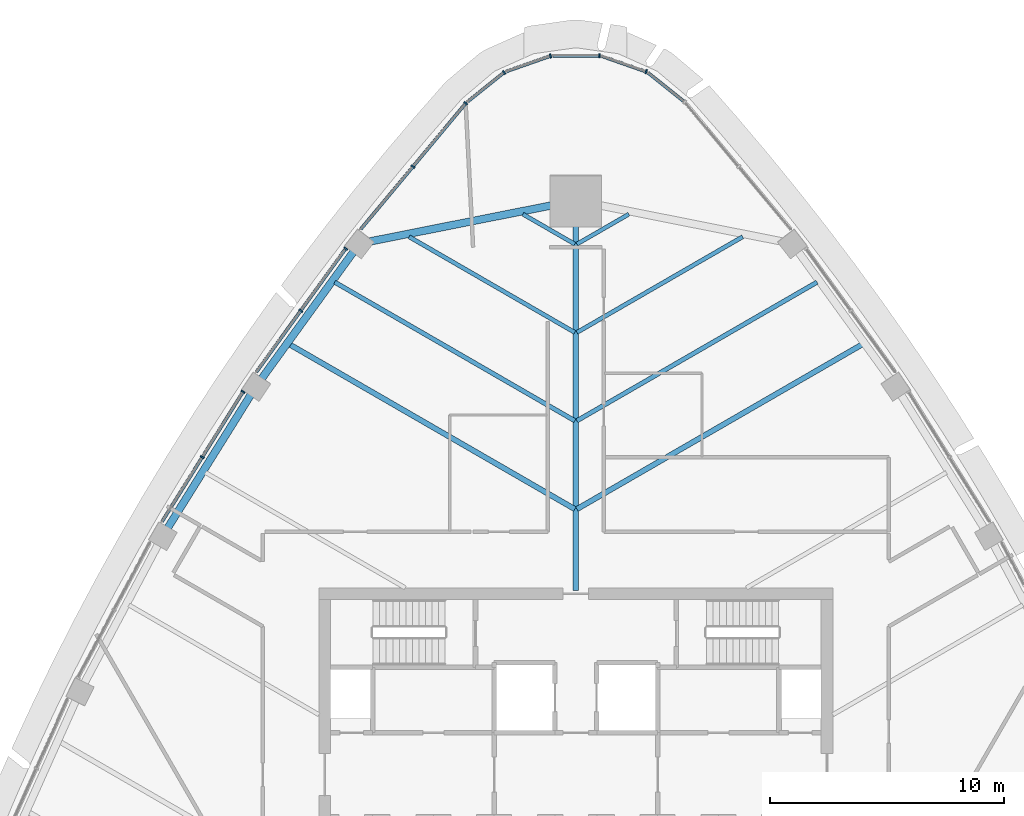
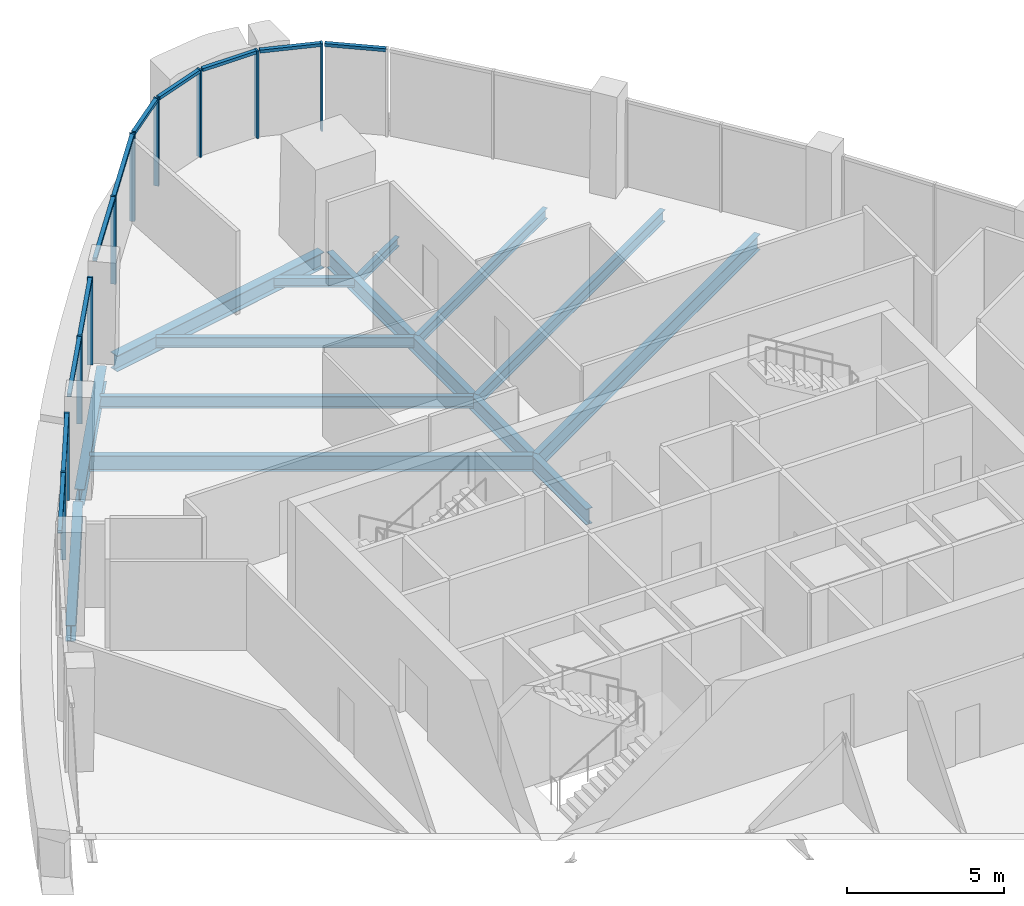
# One storey, part 5 of 15: 21 members, 12 beams, 8 elements without a shape of their own.
"""IFC4 building model written with IfcOpenShell, lengths in metres."""

from ifc_helpers import new_model, si_unit, direction, frame, origin, origin_2d, place, context, subcontext, project, spatial, rectangle, i_section, extrude, material, layer, layer_set, material_profile, profile_set, type_object, element, aggregate, save


model = new_model("IFC4")

# Units and contexts
model_context = context("Model", 3, precision=1e-05, world=origin(), true_north=direction((0.0, 1.0)))
body_context = subcontext(model_context, "Body", "Model", "MODEL_VIEW")
ifc_project = project(units=[si_unit("LENGTHUNIT", "METRE"), si_unit("AREAUNIT", "SQUARE_METRE"), si_unit("VOLUMEUNIT", "CUBIC_METRE"), si_unit("PLANEANGLEUNIT", "RADIAN"), si_unit("MASSUNIT", "GRAM", prefix="KILO")], contexts=[model_context])

# Site, building, storey
site_placement = place(None, origin())
site = spatial("IfcSite", under=ifc_project, at=site_placement, CompositionType="ELEMENT")
building_placement = place(site_placement, origin())
building = spatial("IfcBuilding", under=site, at=building_placement, Name="Sierra Prisma Convention Tower", CompositionType="ELEMENT")
storey_placement = place(building_placement, frame((0.0, 0.0, 267.0)))
storey = spatial("IfcBuildingStorey", under=building, at=storey_placement, Name="L60", CompositionType="ELEMENT", Elevation=267.0)

# Curtain wall, member
ifc_material_1 = material(Name="Aluminium and glass curtain wall", Category="aluminium")
ifc_layer = layer(ifc_material_1, 0.179931640625)
ifc_layer_set = layer_set([ifc_layer], Name="CW-1 Plain shaft curtain wall")
curtain_wall_type = type_object("IfcCurtainWallType", Name="CW-1 Plain shaft curtain wall", PredefinedType="NOTDEFINED", material=ifc_layer_set)
curtain_wall_1_placement = place(storey_placement, origin())
curtain_wall_1 = element("IfcCurtainWall", 1, at=curtain_wall_1_placement, inside=storey, type_object=curtain_wall_type, Name="CW-1 N2 L60", PredefinedType="NOTDEFINED")
ifc_material_2 = material(Name="Aluminium 6063-T6 bronze anodised", Category="aluminium")
ifc_material_profile_1 = material_profile(ifc_material_2, rectangle(XDim=0.179931640625, YDim=0.070068359375, at=origin_2d()), Name="ALU MULLION 70x180")
ifc_profile_set_1 = profile_set([ifc_material_profile_1], Name="Aluminium 6063-T6 bronze anodised")
member_type_1 = type_object("IfcMemberType", Name="CW mullion bronze", PredefinedType="MULLION", material=ifc_profile_set_1)
member_1_placement = place(storey_placement, frame((3.010986328125, 30.101806640625, 0.0), z_axis=(0.0, 0.0, 1.0), x_axis=(-0.330281576679, -0.943882450365, 0.0)))
member_1 = element("IfcMember", 2, at=member_1_placement, type_object=member_type_1, Name="CW-1 mullion N2.1", PredefinedType="MULLION", context=body_context, shape_type="SweptSolid", body=[
    extrude(rectangle(XDim=0.179931640625, YDim=0.070068359375, at=origin_2d()), origin(), (0.0, 0.0, 1.0), 3.39990234375),
])

curtain_wall_2_placement = place(storey_placement, origin())
curtain_wall_2 = element("IfcCurtainWall", 3, at=curtain_wall_2_placement, inside=storey, type_object=curtain_wall_type, Name="CW-1 N3 L60", PredefinedType="NOTDEFINED")
member_2_placement = place(storey_placement, frame((1.01904296875, 30.78662109375, 0.0), z_axis=(0.0, 0.0, 1.0), x_axis=(0.0, -1.0, 0.0)))
member_2 = element("IfcMember", 4, at=member_2_placement, type_object=member_type_1, Name="CW-1 mullion N3.1", PredefinedType="MULLION", context=body_context, shape_type="SweptSolid", body=[
    extrude(rectangle(XDim=0.179931640625, YDim=0.070068359375, at=origin_2d()), origin(), (0.0, 0.0, 1.0), 3.39990234375),
])

curtain_wall_3_placement = place(storey_placement, origin())
curtain_wall_3 = element("IfcCurtainWall", 5, at=curtain_wall_3_placement, inside=storey, type_object=curtain_wall_type, Name="CW-1 N4 L60", PredefinedType="NOTDEFINED")
member_3_placement = place(storey_placement, frame((-1.087158203125, 30.77490234375, 0.0), z_axis=(0.0, 0.0, 1.0), x_axis=(0.330281576679, -0.943882450365, 0.0)))
member_3 = element("IfcMember", 6, at=member_3_placement, type_object=member_type_1, Name="CW-1 mullion N4.1", PredefinedType="MULLION", context=body_context, shape_type="SweptSolid", body=[
    extrude(rectangle(XDim=0.179931640625, YDim=0.070068359375, at=origin_2d()), origin(), (0.0, 0.0, 1.0), 3.39990234375),
])

curtain_wall_4_placement = place(storey_placement, origin())
curtain_wall_4 = element("IfcCurtainWall", 7, at=curtain_wall_4_placement, inside=storey, type_object=curtain_wall_type, Name="CW-1 N5 L60", PredefinedType="NOTDEFINED")
member_4_placement = place(storey_placement, frame((-3.0712890625, 30.068359375, 0.0), z_axis=(0.0, 0.0, 1.0), x_axis=(0.623493967812, -0.781828160213, 0.0)))
member_4 = element("IfcMember", 8, at=member_4_placement, type_object=member_type_1, Name="CW-1 mullion N5.1", PredefinedType="MULLION", context=body_context, shape_type="SweptSolid", body=[
    extrude(rectangle(XDim=0.179931640625, YDim=0.070068359375, at=origin_2d()), origin(), (0.0, 0.0, 1.0), 3.39990234375),
])

# Curtain wall, members
curtain_wall_5_placement = place(storey_placement, origin())
curtain_wall_5 = element("IfcCurtainWall", 9, at=curtain_wall_5_placement, inside=storey, type_object=curtain_wall_type, Name="CW-1 NW1 L60", PredefinedType="NOTDEFINED")
member_5_placement = place(storey_placement, frame((-4.714599609375, 28.7490234375, 0.0), z_axis=(0.0, 0.0, 1.0), x_axis=(0.768047623902, -0.640392729049, 0.0)))
member_5 = element("IfcMember", 10, at=member_5_placement, type_object=member_type_1, Name="CW-1 mullion NW1.1", PredefinedType="MULLION", context=body_context, shape_type="SweptSolid", body=[
    extrude(rectangle(XDim=0.179931640625, YDim=0.070068359375, at=origin_2d()), origin(), (0.0, 0.0, 1.0), 3.39990234375),
])
member_6_placement = place(storey_placement, frame((-6.97412109375, 26.0390625, 0.0), z_axis=(0.0, 0.0, 1.0), x_axis=(0.768047623902, -0.640392729049, 0.0)))
member_6 = element("IfcMember", 11, at=member_6_placement, type_object=member_type_1, Name="CW-1 mullion NW1.2", PredefinedType="MULLION", context=body_context, shape_type="SweptSolid", body=[
    extrude(rectangle(XDim=0.179931640625, YDim=0.070068359375, at=origin_2d()), origin(), (0.0, 0.0, 1.0), 3.39990234375),
])

curtain_wall_6_placement = place(storey_placement, origin())
curtain_wall_6 = element("IfcCurtainWall", 12, at=curtain_wall_6_placement, inside=storey, type_object=curtain_wall_type, Name="CW-1 NW2 L60", PredefinedType="NOTDEFINED")
member_7_placement = place(storey_placement, frame((-9.854248046875, 22.528076171875, 0.0), z_axis=(0.0, 0.0, 1.0), x_axis=(0.810116687519, -0.5862686693, 0.0)))
member_7 = element("IfcMember", 13, at=member_7_placement, type_object=member_type_1, Name="CW-1 mullion NW2.1", PredefinedType="MULLION", context=body_context, shape_type="SweptSolid", body=[
    extrude(rectangle(XDim=0.179931640625, YDim=0.070068359375, at=origin_2d()), origin(), (0.0, 0.0, 1.0), 3.39990234375),
])
member_8_placement = place(storey_placement, frame((-11.778076171875, 19.869873046875, 0.0), z_axis=(0.0, 0.0, 1.0), x_axis=(0.810116687519, -0.5862686693, 0.0)))
member_8 = element("IfcMember", 14, at=member_8_placement, type_object=member_type_1, Name="CW-1 mullion NW2.2", PredefinedType="MULLION", context=body_context, shape_type="SweptSolid", body=[
    extrude(rectangle(XDim=0.179931640625, YDim=0.070068359375, at=origin_2d()), origin(), (0.0, 0.0, 1.0), 3.39990234375),
])

curtain_wall_7_placement = place(storey_placement, origin())
curtain_wall_7 = element("IfcCurtainWall", 15, at=curtain_wall_7_placement, inside=storey, type_object=curtain_wall_type, Name="CW-1 NW3 L60", PredefinedType="NOTDEFINED")
member_9_placement = place(storey_placement, frame((-14.24951171875, 16.396728515625, 0.0), z_axis=(0.0, 0.0, 1.0), x_axis=(0.848378834631, -0.52938960412, 0.0)))
member_9 = element("IfcMember", 16, at=member_9_placement, type_object=member_type_1, Name="CW-1 mullion NW3.1", PredefinedType="MULLION", context=body_context, shape_type="SweptSolid", body=[
    extrude(rectangle(XDim=0.179931640625, YDim=0.070068359375, at=origin_2d()), origin(), (0.0, 0.0, 1.0), 3.39990234375),
])
member_10_placement = place(storey_placement, frame((-15.994873046875, 13.599365234375, 0.0), z_axis=(0.0, 0.0, 1.0), x_axis=(0.848378834631, -0.52938960412, 0.0)))
member_10 = element("IfcMember", 17, at=member_10_placement, type_object=member_type_1, Name="CW-1 mullion NW3.2", PredefinedType="MULLION", context=body_context, shape_type="SweptSolid", body=[
    extrude(rectangle(XDim=0.179931640625, YDim=0.070068359375, at=origin_2d()), origin(), (0.0, 0.0, 1.0), 3.39990234375),
])

# Curtain wall, member
curtain_wall_8_placement = place(storey_placement, origin())
curtain_wall_8 = element("IfcCurtainWall", 18, at=curtain_wall_8_placement, inside=storey, type_object=curtain_wall_type, Name="CW-1 N1 L60", PredefinedType="NOTDEFINED")
ifc_material_3 = material(Name="Aluminium 6063-T6 bronze anodised", Category="aluminium")
ifc_material_profile_2 = material_profile(ifc_material_3, rectangle(XDim=0.139892578125, YDim=0.1201171875, at=origin_2d()), Name="ALU TRANSOM 120x140")
ifc_profile_set_2 = profile_set([ifc_material_profile_2], Name="Aluminium 6063-T6 bronze anodised")
member_type_2 = type_object("IfcMemberType", Name="CW transom bronze", PredefinedType="USERDEFINED", material=ifc_profile_set_2)
member_11_placement = place(storey_placement, frame((4.637451171875, 28.8193359375, 3.340087890625), z_axis=(-0.781799724405, 0.623529623129, 0.0), x_axis=(-0.623529623129, -0.781799724405, 0.0)))
member_11 = element("IfcMember", 19, at=member_11_placement, type_object=member_type_2, Name="CW-1 transom N1.1", ObjectType="TRANSOM", PredefinedType="USERDEFINED", context=body_context, shape_type="SweptSolid", body=[
    extrude(rectangle(XDim=0.139892578125, YDim=0.1201171875, at=origin_2d()), origin(), (0.0, 0.0, 1.0), 1.96826171875),
])
aggregate(curtain_wall_8, [member_11])

# Member
member_12_placement = place(storey_placement, frame((2.97802734375, 30.11328125, 3.340087890625), z_axis=(-0.943877691467, 0.330295176396, 0.0), x_axis=(-0.330295176396, -0.943877691467, 0.0)))
member_12 = element("IfcMember", 20, at=member_12_placement, type_object=member_type_2, Name="CW-1 transom N2.1", ObjectType="TRANSOM", PredefinedType="USERDEFINED", context=body_context, shape_type="SweptSolid", body=[
    extrude(rectangle(XDim=0.139892578125, YDim=0.1201171875, at=origin_2d()), origin(), (0.0, 0.0, 1.0), 1.96826171875),
])

aggregate(curtain_wall_1, [member_1, member_12])

member_13_placement = place(storey_placement, frame((0.984130859375, 30.78662109375, 3.340087890625), z_axis=(-1.0, 0.0, 0.0), x_axis=(0.0, -1.0, 0.0)))
member_13 = element("IfcMember", 21, at=member_13_placement, type_object=member_type_2, Name="CW-1 transom N3.1", ObjectType="TRANSOM", PredefinedType="USERDEFINED", context=body_context, shape_type="SweptSolid", body=[
    extrude(rectangle(XDim=0.139892578125, YDim=0.1201171875, at=origin_2d()), origin(), (0.0, 0.0, 1.0), 1.96826171875),
])

aggregate(curtain_wall_2, [member_2, member_13])

member_14_placement = place(storey_placement, frame((-1.1201171875, 30.763427734375, 3.340087890625), z_axis=(-0.943877691467, -0.330295176396, 0.0), x_axis=(0.330295176396, -0.943877691467, 0.0)))
member_14 = element("IfcMember", 22, at=member_14_placement, type_object=member_type_2, Name="CW-1 transom N4.1", ObjectType="TRANSOM", PredefinedType="USERDEFINED", context=body_context, shape_type="SweptSolid", body=[
    extrude(rectangle(XDim=0.139892578125, YDim=0.1201171875, at=origin_2d()), origin(), (0.0, 0.0, 1.0), 1.96826171875),
])

aggregate(curtain_wall_3, [member_3, member_14])

member_15_placement = place(storey_placement, frame((-3.0986328125, 30.046630859375, 3.340087890625), z_axis=(-0.781799724405, -0.623529623129, 0.0), x_axis=(0.623529623129, -0.781799724405, 0.0)))
member_15 = element("IfcMember", 23, at=member_15_placement, type_object=member_type_2, Name="CW-1 transom N5.1", ObjectType="TRANSOM", PredefinedType="USERDEFINED", context=body_context, shape_type="SweptSolid", body=[
    extrude(rectangle(XDim=0.139892578125, YDim=0.1201171875, at=origin_2d()), origin(), (0.0, 0.0, 1.0), 1.96826171875),
])

aggregate(curtain_wall_4, [member_4, member_15])

member_16_placement = place(storey_placement, frame((-4.737060546875, 28.721923828125, 3.340087890625), z_axis=(-0.640399642306, -0.768041859624, 0.0), x_axis=(0.768041859624, -0.640399642306, 0.0)))
member_16 = element("IfcMember", 24, at=member_16_placement, type_object=member_type_2, Name="CW-1 transom NW1.1", ObjectType="TRANSOM", PredefinedType="USERDEFINED", context=body_context, shape_type="SweptSolid", body=[
    extrude(rectangle(XDim=0.139892578125, YDim=0.1201171875, at=origin_2d()), origin(), (0.0, 0.0, 1.0), 3.458251953125),
])

member_17_placement = place(storey_placement, frame((-6.99658203125, 26.01220703125, 3.340087890625), z_axis=(-0.640364919363, -0.768070810569, 0.0), x_axis=(0.768070810569, -0.640364919363, 0.0)))
member_17 = element("IfcMember", 25, at=member_17_placement, type_object=member_type_2, Name="CW-1 transom NW1.2", ObjectType="TRANSOM", PredefinedType="USERDEFINED", context=body_context, shape_type="SweptSolid", body=[
    extrude(rectangle(XDim=0.139892578125, YDim=0.1201171875, at=origin_2d()), origin(), (0.0, 0.0, 1.0), 3.458251953125),
])

aggregate(curtain_wall_5, [member_5, member_6, member_16, member_17])

member_18_placement = place(storey_placement, frame((-9.875, 22.499755859375, 3.340087890625), z_axis=(-0.586239773073, -0.810137598478, 0.0), x_axis=(0.810137598478, -0.586239773073, 0.0)))
member_18 = element("IfcMember", 26, at=member_18_placement, type_object=member_type_2, Name="CW-1 transom NW2.1", ObjectType="TRANSOM", PredefinedType="USERDEFINED", context=body_context, shape_type="SweptSolid", body=[
    extrude(rectangle(XDim=0.139892578125, YDim=0.1201171875, at=origin_2d()), origin(), (0.0, 0.0, 1.0), 3.211181640625),
])

member_19_placement = place(storey_placement, frame((-11.798583984375, 19.841552734375, 3.340087890625), z_axis=(-0.586253561809, -0.810127620358, 0.0), x_axis=(0.810127620358, -0.586253561809, 0.0)))
member_19 = element("IfcMember", 27, at=member_19_placement, type_object=member_type_2, Name="CW-1 transom NW2.2", ObjectType="TRANSOM", PredefinedType="USERDEFINED", context=body_context, shape_type="SweptSolid", body=[
    extrude(rectangle(XDim=0.139892578125, YDim=0.1201171875, at=origin_2d()), origin(), (0.0, 0.0, 1.0), 3.211669921875),
])

aggregate(curtain_wall_6, [member_7, member_8, member_18, member_19])

member_20_placement = place(storey_placement, frame((-14.26806640625, 16.366943359375, 3.340087890625), z_axis=(-0.529413997069, -0.848363612909, 0.0), x_axis=(0.848363612909, -0.529413997069, 0.0)))
member_20 = element("IfcMember", 28, at=member_20_placement, type_object=member_type_2, Name="CW-1 transom NW3.1", ObjectType="TRANSOM", PredefinedType="USERDEFINED", context=body_context, shape_type="SweptSolid", body=[
    extrude(rectangle(XDim=0.139892578125, YDim=0.1201171875, at=origin_2d()), origin(), (0.0, 0.0, 1.0), 3.22705078125),
])

member_21_placement = place(storey_placement, frame((-16.013427734375, 13.56982421875, 3.340087890625), z_axis=(-0.529380020738, -0.8483848146, 0.0), x_axis=(0.8483848146, -0.529380020738, 0.0)))
member_21 = element("IfcMember", 29, at=member_21_placement, type_object=member_type_2, Name="CW-1 transom NW3.2", ObjectType="TRANSOM", PredefinedType="USERDEFINED", context=body_context, shape_type="SweptSolid", body=[
    extrude(rectangle(XDim=0.139892578125, YDim=0.1201171875, at=origin_2d()), origin(), (0.0, 0.0, 1.0), 3.227294921875),
])

aggregate(curtain_wall_7, [member_9, member_10, member_20, member_21])

# Beams
ifc_material_4 = material(Name="Steel ASTM A992 Gr 50", Category="steel")
ifc_material_profile_3 = material_profile(ifc_material_4, i_section(OverallWidth=0.172119140625, OverallDepth=0.35791015625, WebThickness=0.0078125, FlangeThickness=0.01318359375, at=origin_2d()), Name="W360x57")
ifc_profile_set_3 = profile_set([ifc_material_profile_3], Name="Steel ASTM A992 Gr 50")
beam_type_1 = type_object("IfcBeamType", Name="Floor joist W360x57", PredefinedType="JOIST", material=ifc_profile_set_3)
for number, where, z_axis, x_axis, name in (
    (30, (2.2666015625, 24.000244140625, -0.3291015625), (-0.866049234614, -0.499958721521, 0.0), (0.499958721521, -0.866049234614, 0.0), "Floor joist L60 NE13"),
    (31, (-2.2666015625, 24.000244140625, -0.3291015625), (0.866049234614, -0.499958721521, 0.0), (0.499958721521, 0.866049234614, 0.0), "Floor joist L60 NW01"),
):
    element("IfcBeam", number, at=place(storey_placement, frame(where, z_axis=z_axis, x_axis=x_axis)), inside=storey, type_object=beam_type_1, Name=name, PredefinedType="JOIST", context=body_context, shape_type="SweptSolid", body=[
        extrude(i_section(OverallWidth=0.172119140625, OverallDepth=0.35791015625, WebThickness=0.0078125, FlangeThickness=0.01318359375, at=origin_2d()), origin(), (0.0, 0.0, 1.0), 2.564208984375),
    ])
ifc_material_5 = material(Name="Steel ASTM A992 Gr 50", Category="steel")
ifc_material_profile_4 = material_profile(ifc_material_5, i_section(OverallWidth=0.177978515625, OverallDepth=0.406982421875, WebThickness=0.0078125, FlangeThickness=0.0126953125, at=origin_2d()), Name="W410x60")
ifc_profile_set_4 = profile_set([ifc_material_profile_4], Name="Steel ASTM A992 Gr 50")
beam_type_2 = type_object("IfcBeamType", Name="Floor joist W410x60", PredefinedType="JOIST", material=ifc_profile_set_4)
for number, where, z_axis, x_axis, name in (
    (32, (7.140625, 23.0322265625, -0.353515625), (-0.866035711999, -0.499982145224, 0.0), (0.499982145224, -0.866035711999, 0.0), "Floor joist L60 NE12"),
    (33, (-7.140625, 23.0322265625, -0.353515625), (0.866035711999, -0.499982145224, 0.0), (0.499982145224, 0.866035711999, 0.0), "Floor joist L60 NW02"),
):
    element("IfcBeam", number, at=place(storey_placement, frame(where, z_axis=z_axis, x_axis=x_axis)), inside=storey, type_object=beam_type_2, Name=name, PredefinedType="JOIST", context=body_context, shape_type="SweptSolid", body=[
        extrude(i_section(OverallWidth=0.177978515625, OverallDepth=0.406982421875, WebThickness=0.0078125, FlangeThickness=0.0126953125, at=origin_2d()), origin(), (0.0, 0.0, 1.0), 8.192138671875),
    ])
ifc_material_6 = material(Name="Steel ASTM A992 Gr 50", Category="steel")
ifc_material_profile_5 = material_profile(ifc_material_6, i_section(OverallWidth=0.18994140625, OverallDepth=0.45703125, WebThickness=0.009033203125, FlangeThickness=0.014404296875, at=origin_2d()), Name="W460x74")
ifc_profile_set_5 = profile_set([ifc_material_profile_5], Name="Steel ASTM A992 Gr 50")
beam_type_3 = type_object("IfcBeamType", Name="Floor joist W460x74", PredefinedType="JOIST", material=ifc_profile_set_5)
for number, where, z_axis, x_axis, name in (
    (34, (10.324951171875, 21.0888671875, -0.37841796875), (-0.866026992598, -0.499997248084, 0.0), (0.499997248084, -0.866026992598, 0.0), "Floor joist L60 NE11"),
    (35, (-10.324951171875, 21.0888671875, -0.37841796875), (0.866026992598, -0.499997248084, 0.0), (0.499997248084, 0.866026992598, 0.0), "Floor joist L60 NW03"),
):
    element("IfcBeam", number, at=place(storey_placement, frame(where, z_axis=z_axis, x_axis=x_axis)), inside=storey, type_object=beam_type_3, Name=name, PredefinedType="JOIST", context=body_context, shape_type="SweptSolid", body=[
        extrude(i_section(OverallWidth=0.18994140625, OverallDepth=0.45703125, WebThickness=0.009033203125, FlangeThickness=0.014404296875, at=origin_2d()), origin(), (0.0, 0.0, 1.0), 11.869140625),
    ])
ifc_material_7 = material(Name="Steel ASTM A992 Gr 50", Category="steel")
ifc_material_profile_6 = material_profile(ifc_material_7, i_section(OverallWidth=0.22802734375, OverallDepth=0.60302734375, WebThickness=0.010498046875, FlangeThickness=0.014892578125, at=origin_2d()), Name="W610x101")
ifc_profile_set_6 = profile_set([ifc_material_profile_6], Name="Steel ASTM A992 Gr 50")
beam_type_4 = type_object("IfcBeamType", Name="Floor joist W610x101", PredefinedType="JOIST", material=ifc_profile_set_6)
for number, where, z_axis, x_axis, name in (
    (36, (12.25537109375, 18.42138671875, -0.451416015625), (-0.866027555568, -0.499996272984, 0.0), (0.499996272984, -0.866027555568, 0.0), "Floor joist L60 NE10"),
    (37, (-12.25537109375, 18.42138671875, -0.451416015625), (0.866027555568, -0.499996272984, 0.0), (0.499996272984, 0.866027555568, 0.0), "Floor joist L60 NW04"),
):
    element("IfcBeam", number, at=place(storey_placement, frame(where, z_axis=z_axis, x_axis=x_axis)), inside=storey, type_object=beam_type_4, Name=name, PredefinedType="JOIST", context=body_context, shape_type="SweptSolid", body=[
        extrude(i_section(OverallWidth=0.22802734375, OverallDepth=0.60302734375, WebThickness=0.010498046875, FlangeThickness=0.014892578125, at=origin_2d()), origin(), (0.0, 0.0, 1.0), 14.09814453125),
    ])
ifc_material_8 = material(Name="Steel ASTM A992 Gr 50", Category="steel")
ifc_material_profile_7 = material_profile(ifc_material_8, i_section(OverallWidth=0.22998046875, OverallDepth=0.616943359375, WebThickness=0.01318359375, FlangeThickness=0.022216796875, at=origin_2d()), Name="W610x140")
ifc_profile_set_7 = profile_set([ifc_material_profile_7], Name="Steel ASTM A992 Gr 50")
beam_type_5 = type_object("IfcBeamType", Name="Radial girder W610x140", PredefinedType="BEAM", material=ifc_profile_set_7)
beam_1_placement = place(storey_placement, frame((0.0, 24.362548828125, -0.45849609375), z_axis=(0.0, -1.0, 0.0), x_axis=(1.0, 0.0, 0.0)))
element("IfcBeam", 38, at=beam_1_placement, inside=storey, type_object=beam_type_5, Name="Radial girder L60 N", PredefinedType="BEAM", context=body_context, shape_type="SweptSolid", body=[
    extrude(i_section(OverallWidth=0.22998046875, OverallDepth=0.616943359375, WebThickness=0.01318359375, FlangeThickness=0.022216796875, at=origin_2d()), origin(), (0.0, 0.0, 1.0), 16.482666015625),
])
ifc_material_9 = material(Name="Steel ASTM A992 Gr 50", Category="steel")
ifc_material_profile_8 = material_profile(ifc_material_9, i_section(OverallWidth=0.324951171875, OverallDepth=0.615966796875, WebThickness=0.013916015625, FlangeThickness=0.021484375, at=origin_2d()), Name="W610x174")
ifc_profile_set_8 = profile_set([ifc_material_profile_8], Name="Steel ASTM A992 Gr 50")
beam_type_6 = type_object("IfcBeamType", Name="Spandrel beam W610x174", PredefinedType="BEAM", material=ifc_profile_set_8)
beam_2_placement = place(storey_placement, frame((-0.219970703125, 24.538818359375, -0.4580078125), z_axis=(-0.98084274045, -0.194801228196, 0.0), x_axis=(0.194801228196, -0.98084274045, 0.0)))
element("IfcBeam", 39, at=beam_2_placement, inside=storey, type_object=beam_type_6, Name="Spandrel L60-13", PredefinedType="BEAM", context=body_context, shape_type="SweptSolid", body=[
    extrude(i_section(OverallWidth=0.324951171875, OverallDepth=0.615966796875, WebThickness=0.013916015625, FlangeThickness=0.021484375, at=origin_2d()), origin(), (0.0, 0.0, 1.0), 8.749267578125),
])
beam_3_placement = place(storey_placement, frame((-9.46142578125, 22.474365234375, -0.4580078125), z_axis=(-0.586276613218, -0.810110938572, 0.0), x_axis=(0.810110938572, -0.586276613218, 0.0)))
element("IfcBeam", 40, at=beam_3_placement, inside=storey, type_object=beam_type_6, Name="Spandrel L60-14", PredefinedType="BEAM", context=body_context, shape_type="SweptSolid", body=[
    extrude(i_section(OverallWidth=0.324951171875, OverallDepth=0.615966796875, WebThickness=0.013916015625, FlangeThickness=0.021484375, at=origin_2d()), origin(), (0.0, 0.0, 1.0), 6.892333984375),
])
beam_4_placement = place(storey_placement, frame((-13.87060546875, 16.343017578125, -0.4580078125), z_axis=(-0.529393831369, -0.848376196807, 0.0), x_axis=(0.848376196807, -0.529393831369, 0.0)))
element("IfcBeam", 41, at=beam_4_placement, inside=storey, type_object=beam_type_6, Name="Spandrel L60-15", PredefinedType="BEAM", context=body_context, shape_type="SweptSolid", body=[
    extrude(i_section(OverallWidth=0.324951171875, OverallDepth=0.615966796875, WebThickness=0.013916015625, FlangeThickness=0.021484375, at=origin_2d()), origin(), (0.0, 0.0, 1.0), 6.89208984375),
])

save(model, "model.ifc")
